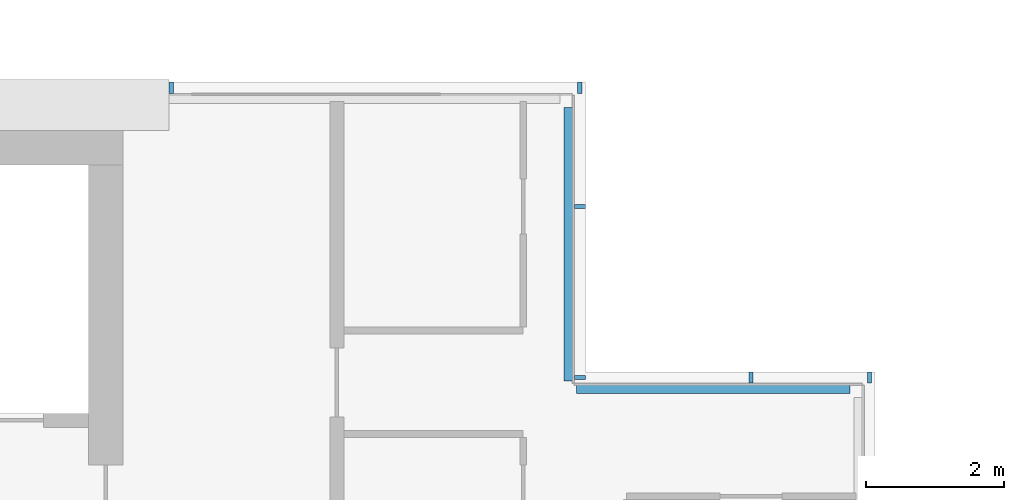
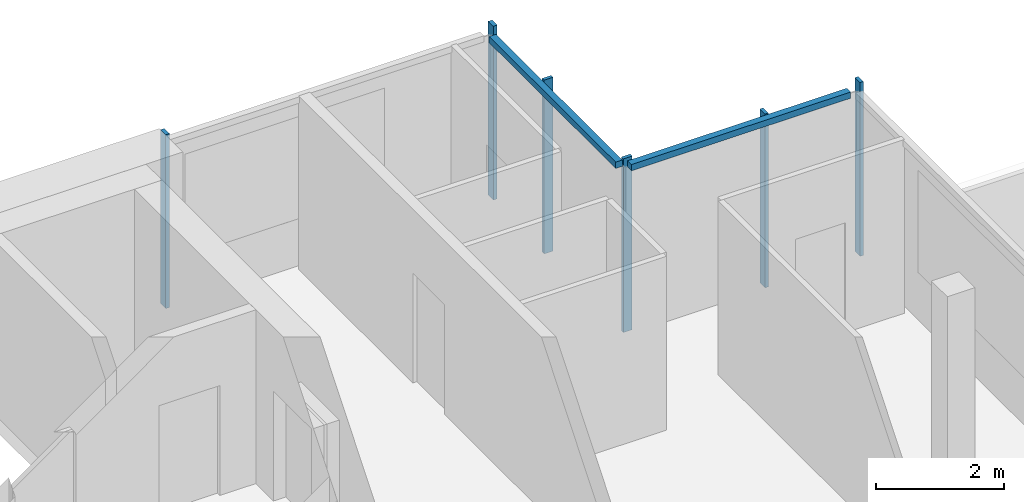
# One storey, part 8 of 21: 8 members, 3 elements without a shape of their own.
"""IFC4 building model written with IfcOpenShell, lengths in metres."""

from ifc_helpers import new_model, si_unit, direction, frame, origin, origin_2d, place, context, subcontext, project, spatial, rectangle, extrude, material, material_profile, profile_set, type_object, element, aggregate, save


model = new_model("IFC4")

# Units and contexts
model_context = context("Model", 3, precision=1e-05, world=origin(), true_north=direction((0.0, 1.0)))
body_context = subcontext(model_context, "Body", "Model", "MODEL_VIEW")
ifc_project = project(units=[si_unit("LENGTHUNIT", "METRE"), si_unit("AREAUNIT", "SQUARE_METRE"), si_unit("VOLUMEUNIT", "CUBIC_METRE"), si_unit("PLANEANGLEUNIT", "RADIAN"), si_unit("MASSUNIT", "GRAM", prefix="KILO")], contexts=[model_context])

# Site, building, storey
site_placement = place(None, origin())
site = spatial("IfcSite", under=ifc_project, at=site_placement, CompositionType="ELEMENT")
building_placement = place(site_placement, origin())
building = spatial("IfcBuilding", under=site, at=building_placement, Name="Saffron Gate Tower", CompositionType="ELEMENT")
storey_placement = place(building_placement, frame((0.0, 0.0, 288.75)))
storey = spatial("IfcBuildingStorey", under=building, at=storey_placement, Name="L70", CompositionType="ELEMENT", Elevation=288.75)

# Curtain wall, members
ifc_material = material(Name="Aluminium, bronze anodised", Category="aluminium")
curtain_wall_type_1 = type_object("IfcCurtainWallType", Name="CWS3 curtain wall rear facade", PredefinedType="NOTDEFINED", material=ifc_material)
curtain_wall_1_placement = place(storey_placement, origin())
curtain_wall_1 = element("IfcCurtainWall", 1, at=curtain_wall_1_placement, inside=storey, type_object=curtain_wall_type_1, Name="CWS3 run 7", PredefinedType="NOTDEFINED")
ifc_material_profile_1 = material_profile(ifc_material, rectangle(XDim=0.159912109375, YDim=0.070068359375, at=origin_2d()))
ifc_profile_set_1 = profile_set([ifc_material_profile_1], Name="Aluminium, bronze anodised")
member_type_1 = type_object("IfcMemberType", Name="CWS3 mullion 70x160", PredefinedType="MULLION", material=ifc_profile_set_1)
member_1_placement = place(storey_placement, frame((114.52001953125, 75.52001953125, 0.0), z_axis=(0.0, 0.0, 1.0), x_axis=(0.0, -1.0, 0.0)))
member_1 = element("IfcMember", 2, at=member_1_placement, type_object=member_type_1, Name="CWS3 mullion 1", PredefinedType="MULLION", context=body_context, shape_type="SweptSolid", body=[
    extrude(rectangle(XDim=0.159912109375, YDim=0.070068359375, at=origin_2d()), origin(), (0.0, 0.0, 1.0), 3.320068359375),
])
member_2_placement = place(storey_placement, frame((108.60009765625, 75.52001953125, 0.0), z_axis=(0.0, 0.0, 1.0), x_axis=(0.0, -1.0, 0.0)))
member_2 = element("IfcMember", 3, at=member_2_placement, type_object=member_type_1, Name="CWS3 mullion 2", PredefinedType="MULLION", context=body_context, shape_type="SweptSolid", body=[
    extrude(rectangle(XDim=0.159912109375, YDim=0.070068359375, at=origin_2d()), origin(), (0.0, 0.0, 1.0), 3.320068359375),
])
aggregate(curtain_wall_1, [member_1, member_2])

# Curtain wall, member
curtain_wall_type_2 = type_object("IfcCurtainWallType", Name="CWS4 curtain wall corner returns", PredefinedType="NOTDEFINED", material=ifc_material)
curtain_wall_2_placement = place(storey_placement, origin())
curtain_wall_2 = element("IfcCurtainWall", 4, at=curtain_wall_2_placement, inside=storey, type_object=curtain_wall_type_2, Name="CWS4 run 5", PredefinedType="NOTDEFINED")
ifc_material_profile_2 = material_profile(ifc_material, rectangle(XDim=0.1201171875, YDim=0.1201171875, at=origin_2d()))
ifc_profile_set_2 = profile_set([ifc_material_profile_2], Name="Aluminium, bronze anodised")
member_type_2 = type_object("IfcMemberType", Name="CWS4 head transom", PredefinedType="USERDEFINED", material=ifc_profile_set_2)
member_3_placement = place(storey_placement, frame((118.431884765625, 71.152099609375, 3.260009765625), z_axis=(-1.0, 0.0, 0.0), x_axis=(0.0, -1.0, 0.0)))
member_3 = element("IfcMember", 5, at=member_3_placement, type_object=member_type_2, Name="CWS4 head transom", ObjectType="TRANSOM", PredefinedType="USERDEFINED", context=body_context, shape_type="SweptSolid", body=[
    extrude(rectangle(XDim=0.1201171875, YDim=0.1201171875, at=origin_2d()), origin(), (0.0, 0.0, 1.0), 3.9599609375),
])

curtain_wall_3_placement = place(storey_placement, origin())
curtain_wall_3 = element("IfcCurtainWall", 6, at=curtain_wall_3_placement, inside=storey, type_object=curtain_wall_type_2, Name="CWS4 run 6", PredefinedType="NOTDEFINED")
member_4_placement = place(storey_placement, frame((114.35205078125, 71.27197265625, 3.260009765625), z_axis=(0.0, 1.0, 0.0), x_axis=(-1.0, 0.0, 0.0)))
member_4 = element("IfcMember", 7, at=member_4_placement, type_object=member_type_2, Name="CWS4 head transom", ObjectType="TRANSOM", PredefinedType="USERDEFINED", context=body_context, shape_type="SweptSolid", body=[
    extrude(rectangle(XDim=0.1201171875, YDim=0.1201171875, at=origin_2d()), origin(), (0.0, 0.0, 1.0), 3.9599609375),
])

# Member
ifc_material_profile_3 = material_profile(ifc_material, rectangle(XDim=0.159912109375, YDim=0.06005859375, at=origin_2d()))
ifc_profile_set_3 = profile_set([ifc_material_profile_3], Name="Aluminium, bronze anodised")
member_type_3 = type_object("IfcMemberType", Name="CWS4 mullion 60x160", PredefinedType="MULLION", material=ifc_profile_set_3)
member_5_placement = place(storey_placement, frame((118.719970703125, 71.320068359375, 0.0), z_axis=(0.0, 0.0, 1.0), x_axis=(0.0, -1.0, 0.0)))
member_5 = element("IfcMember", 8, at=member_5_placement, type_object=member_type_3, Name="CWS4 mullion 1", PredefinedType="MULLION", context=body_context, shape_type="SweptSolid", body=[
    extrude(rectangle(XDim=0.159912109375, YDim=0.06005859375, at=origin_2d()), origin(), (0.0, 0.0, 1.0), 3.320068359375),
])

member_6_placement = place(storey_placement, frame((117.0, 71.320068359375, 0.0), z_axis=(0.0, 0.0, 1.0), x_axis=(0.0, -1.0, 0.0)))
member_6 = element("IfcMember", 9, at=member_6_placement, type_object=member_type_3, Name="CWS4 mullion 2", PredefinedType="MULLION", context=body_context, shape_type="SweptSolid", body=[
    extrude(rectangle(XDim=0.159912109375, YDim=0.06005859375, at=origin_2d()), origin(), (0.0, 0.0, 1.0), 3.320068359375),
])

aggregate(curtain_wall_2, [member_5, member_6, member_3])

member_7_placement = place(storey_placement, frame((114.52001953125, 71.320068359375, 0.0), z_axis=(0.0, 0.0, 1.0), x_axis=(-1.0, 0.0, 0.0)))
member_7 = element("IfcMember", 10, at=member_7_placement, type_object=member_type_3, Name="CWS4 mullion 1", PredefinedType="MULLION", context=body_context, shape_type="SweptSolid", body=[
    extrude(rectangle(XDim=0.159912109375, YDim=0.06005859375, at=origin_2d()), origin(), (0.0, 0.0, 1.0), 3.320068359375),
])

member_8_placement = place(storey_placement, frame((114.52001953125, 73.800048828125, 0.0), z_axis=(0.0, 0.0, 1.0), x_axis=(-1.0, 0.0, 0.0)))
member_8 = element("IfcMember", 11, at=member_8_placement, type_object=member_type_3, Name="CWS4 mullion 2", PredefinedType="MULLION", context=body_context, shape_type="SweptSolid", body=[
    extrude(rectangle(XDim=0.159912109375, YDim=0.06005859375, at=origin_2d()), origin(), (0.0, 0.0, 1.0), 3.320068359375),
])

aggregate(curtain_wall_3, [member_7, member_8, member_4])

save(model, "model.ifc")
